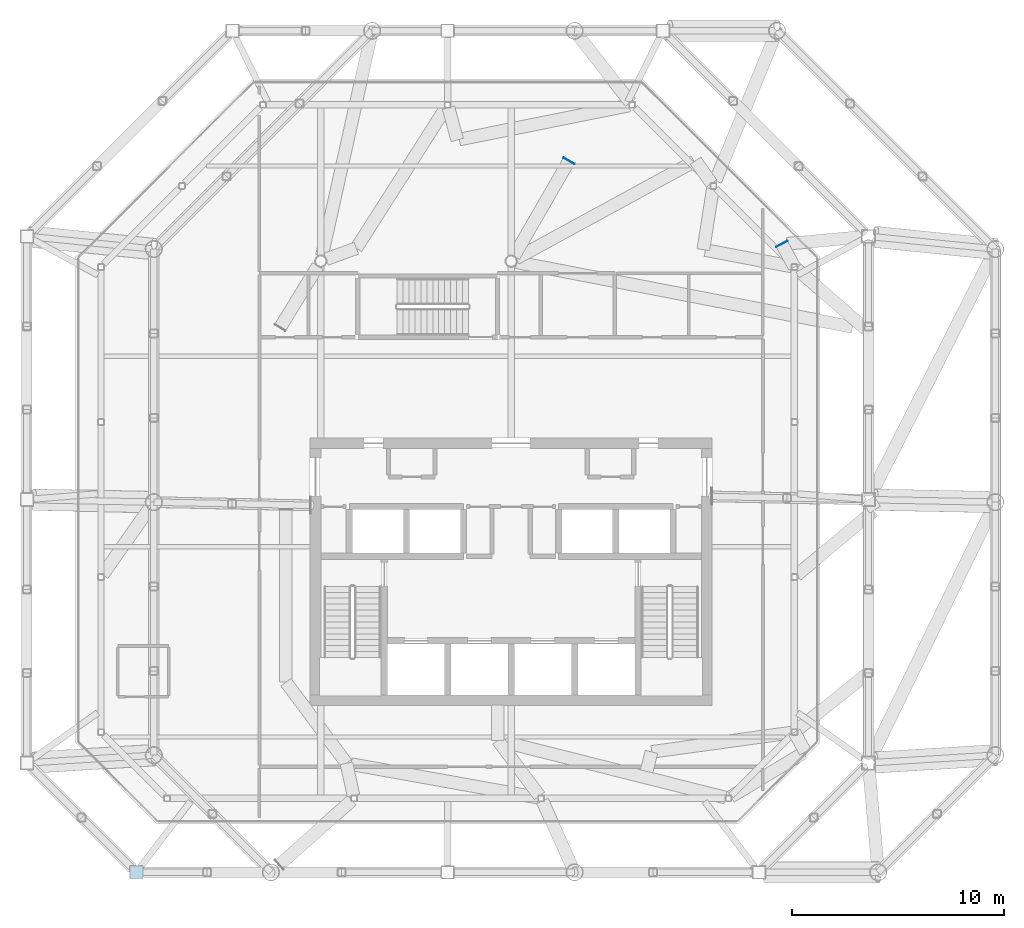
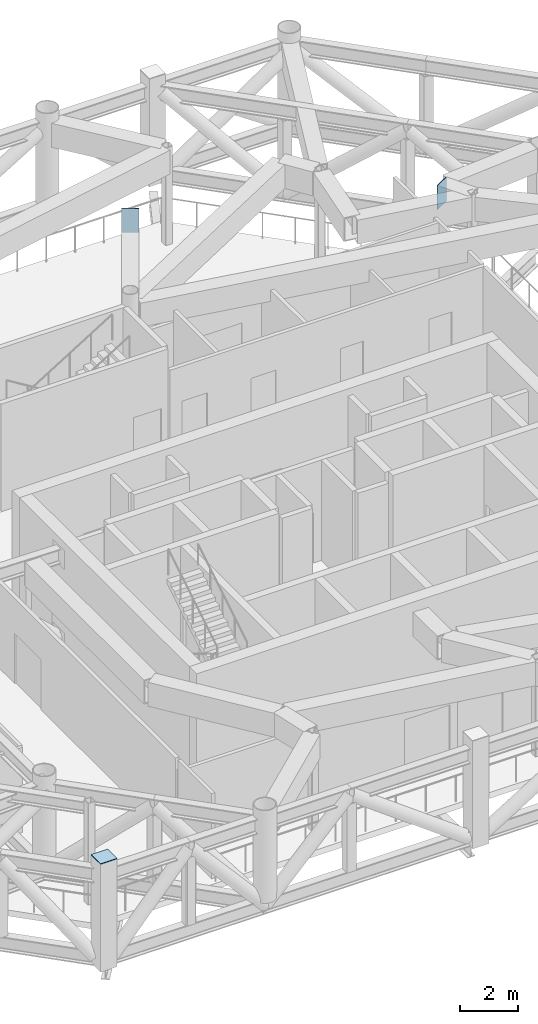
# One storey, part 8 of 14: 3 plates.
"""IFC4 building model written with IfcOpenShell, lengths in metres."""

from ifc_helpers import new_model, si_unit, direction, frame, origin, origin_2d, place, context, subcontext, project, spatial, rectangle, extrude, material, material_profile, profile_set, type_object, element, save


model = new_model("IFC4")

# Units and contexts
model_context = context("Model", 3, precision=1e-05, world=origin(), true_north=direction((0.0, 1.0)))
body_context = subcontext(model_context, "Body", "Model", "MODEL_VIEW")
ifc_project = project(units=[si_unit("LENGTHUNIT", "METRE"), si_unit("AREAUNIT", "SQUARE_METRE"), si_unit("VOLUMEUNIT", "CUBIC_METRE"), si_unit("PLANEANGLEUNIT", "RADIAN"), si_unit("MASSUNIT", "GRAM", prefix="KILO")], contexts=[model_context])

# Site, building, storey
site_placement = place(None, origin())
site = spatial("IfcSite", under=ifc_project, at=site_placement, CompositionType="ELEMENT")
building_placement = place(site_placement, origin())
building = spatial("IfcBuilding", under=site, at=building_placement, Name="Tskaro Facet Tower", CompositionType="ELEMENT")
storey_placement = place(building_placement, frame((0.0, 0.0, 255.0)))
storey = spatial("IfcBuildingStorey", under=building, at=storey_placement, Name="L67", CompositionType="ELEMENT", Elevation=255.0)

# Plates
ifc_material = material(Name="Steel S355J2", Category="steel")
ifc_material_profile_1 = material_profile(ifc_material, rectangle(XDim=0.60009765625, YDim=1.0, at=origin_2d()), Name="PL 600x1000x30 end plate")
ifc_profile_set_1 = profile_set([ifc_material_profile_1], Name="Steel S355J2")
plate_type_1 = type_object("IfcPlateType", Name="PL 600x1000x30 end plate", PredefinedType="SHEET", material=ifc_profile_set_1)
for number, where, z_axis, x_axis, name in (
    (1, (12.802001953125, 9.802001953125, 3.580078125), (-0.479421352547, 0.877584848731, 0.0), (-0.877584848731, -0.479421352547, 0.0), "End plate CP8-49"),
    (2, (2.72509765625, 13.7236328125, 3.580078125), (0.504883315038, 0.863187603129, 0.0), (-0.863187603129, 0.504883315038, 0.0), "End plate CP8-50"),
):
    element("IfcPlate", number, at=place(storey_placement, frame(where, z_axis=z_axis, x_axis=x_axis)), inside=storey, type_object=plate_type_1, Name=name, PredefinedType="SHEET", context=body_context, shape_type="SweptSolid", body=[
        extrude(rectangle(XDim=0.60009765625, YDim=1.0, at=origin_2d()), origin(), (0.0, 0.0, 1.0), 0.030029296875),
    ])
ifc_material_profile_2 = material_profile(ifc_material, rectangle(XDim=0.64990234375, YDim=0.64990234375, at=origin_2d()), Name="PL 650x650x30 end plate")
ifc_profile_set_2 = profile_set([ifc_material_profile_2], Name="Steel S355J2")
plate_type_2 = type_object("IfcPlateType", Name="PL 650x650x30 end plate", PredefinedType="SHEET", material=ifc_profile_set_2)
plate_placement = place(storey_placement, frame((-17.718994140625, -19.89306640625, 4.5), z_axis=(0.0, 0.0, 1.0), x_axis=(1.0, 0.0, 0.0)))
element("IfcPlate", 3, at=plate_placement, inside=storey, type_object=plate_type_2, Name="End plate CP7-01", PredefinedType="SHEET", context=body_context, shape_type="SweptSolid", body=[
    extrude(rectangle(XDim=0.64990234375, YDim=0.64990234375, at=origin_2d()), origin(), (0.0, 0.0, 1.0), 0.030029296875),
])

save(model, "model.ifc")
